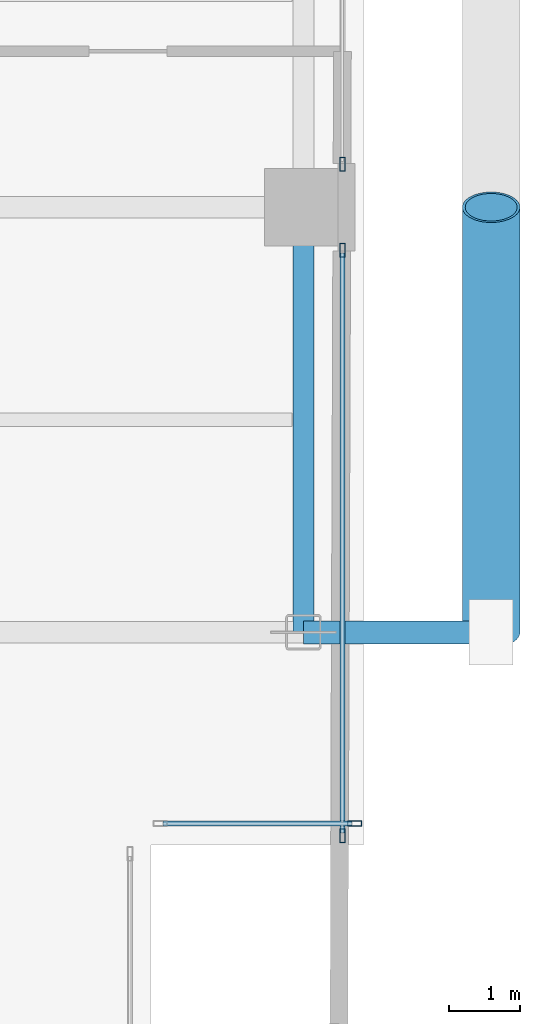
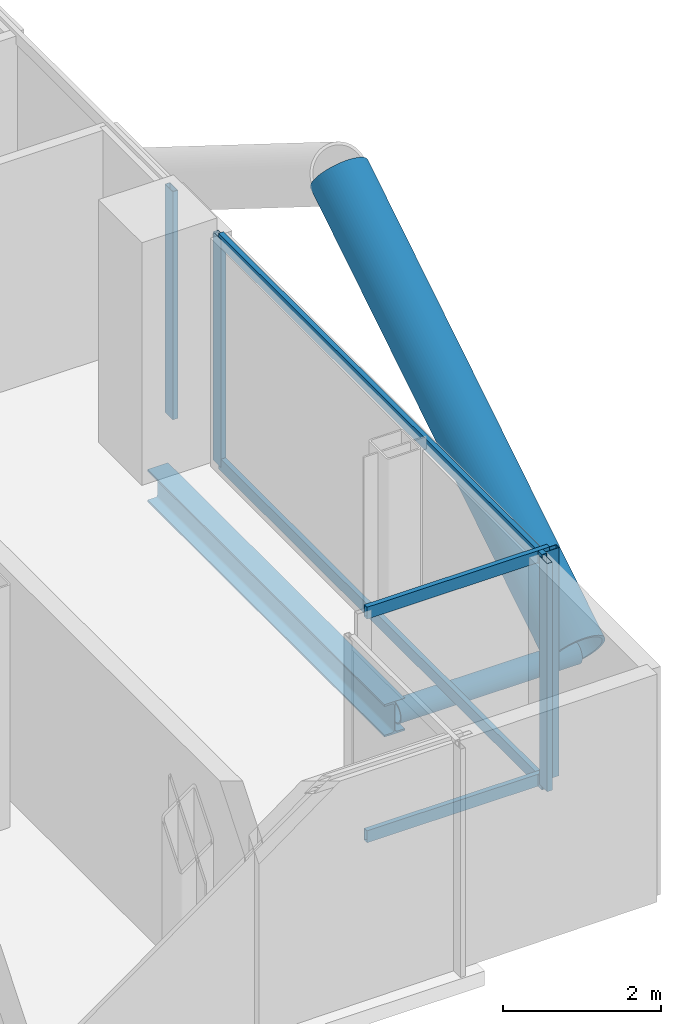
# One storey, part 11 of 24: 10 members, 1 beam, 3 elements without a shape of their own.
"""IFC4 building model written with IfcOpenShell, lengths in metres."""

from ifc_helpers import new_model, si_unit, direction, frame, origin, origin_2d, place, context, subcontext, project, spatial, hollow_rectangle, hollow_circle, i_section, extrude, material, layer, layer_set, material_profile, profile_set, type_object, element, aggregate, save


model = new_model("IFC4")

# Units and contexts
model_context = context("Model", 3, precision=1e-05, world=origin(), true_north=direction((0.0, 1.0)))
body_context = subcontext(model_context, "Body", "Model", "MODEL_VIEW")
ifc_project = project(units=[si_unit("LENGTHUNIT", "METRE"), si_unit("AREAUNIT", "SQUARE_METRE"), si_unit("VOLUMEUNIT", "CUBIC_METRE"), si_unit("PLANEANGLEUNIT", "RADIAN"), si_unit("MASSUNIT", "GRAM", prefix="KILO"), si_unit("THERMODYNAMICTEMPERATUREUNIT", "KELVIN"), si_unit("POWERUNIT", "WATT")], contexts=[model_context])

# Site, building, storey
site_placement = place(None, origin())
site = spatial("IfcSite", under=ifc_project, at=site_placement, CompositionType="ELEMENT")
building_placement = place(site_placement, origin())
building = spatial("IfcBuilding", under=site, at=building_placement, Name="Svarakhadi Broadcast Tower", CompositionType="ELEMENT")
storey_placement = place(building_placement, frame((0.0, 0.0, 126.89990234375)))
storey = spatial("IfcBuildingStorey", under=building, at=storey_placement, Name="L30", CompositionType="ELEMENT", Elevation=126.89990234375)

# Curtain wall, member
ifc_material_1 = material(Name="Anodised Bronze Aluminium AA 6063-T6", Category="aluminium")
ifc_layer = layer(ifc_material_1, 0.199951171875)
ifc_layer_set = layer_set([ifc_layer], Name="Anodised Bronze Aluminium AA 6063-T6")
curtain_wall_type = type_object("IfcCurtainWallType", Name="CW_Sys_03", PredefinedType="NOTDEFINED", material=ifc_layer_set)
curtain_wall_1_placement = place(storey_placement, origin())
curtain_wall_1 = element("IfcCurtainWall", 1, at=curtain_wall_1_placement, inside=storey, type_object=curtain_wall_type, Name="L30 Unitised Facade Curtain Wall 13 Bay 1", PredefinedType="NOTDEFINED")
ifc_material_profile_1 = material_profile(ifc_material_1, hollow_rectangle(XDim=0.074951171875, YDim=0.199951171875, WallThickness=0.005615234375, at=origin_2d()), Name="ALU MULLION 200x75x6")
ifc_profile_set_1 = profile_set([ifc_material_profile_1], Name="Anodised Bronze Aluminium AA 6063-T6")
member_type_1 = type_object("IfcMemberType", Name="CW_Sys_03_Mul", PredefinedType="MULLION", material=ifc_profile_set_1)
member_1_placement = place(storey_placement, frame((47.699951171875, 12.607421875, 0.0), z_axis=(0.0, 0.0, 1.0), x_axis=(1.0, 0.0, 0.0)))
member_1 = element("IfcMember", 2, at=member_1_placement, type_object=member_type_1, Name="CW-03 mullion 2", PredefinedType="MULLION", context=body_context, shape_type="SweptSolid", body=[
    extrude(hollow_rectangle(XDim=0.074951171875, YDim=0.199951171875, WallThickness=0.005615234375, at=origin_2d()), origin(), (0.0, 0.0, 1.0), 3.525146484375),
])
aggregate(curtain_wall_1, [member_1])

# Curtain wall, members
curtain_wall_2_placement = place(storey_placement, origin())
curtain_wall_2 = element("IfcCurtainWall", 3, at=curtain_wall_2_placement, inside=storey, type_object=curtain_wall_type, Name="L30 Unitised Facade Curtain Wall 13 Bay 2", PredefinedType="NOTDEFINED")
member_2_placement = place(storey_placement, frame((47.699951171875, 11.392578125, 0.0), z_axis=(0.0, 0.0, 1.0), x_axis=(1.0, 0.0, 0.0)))
member_2 = element("IfcMember", 4, at=member_2_placement, type_object=member_type_1, Name="CW-03 mullion 1", PredefinedType="MULLION", context=body_context, shape_type="SweptSolid", body=[
    extrude(hollow_rectangle(XDim=0.074951171875, YDim=0.199951171875, WallThickness=0.005615234375, at=origin_2d()), origin(), (0.0, 0.0, 1.0), 3.525146484375),
])
member_3_placement = place(storey_placement, frame((47.699951171875, 3.12744140625, 0.0), z_axis=(0.0, 0.0, 1.0), x_axis=(1.0, 0.0, 0.0)))
member_3 = element("IfcMember", 5, at=member_3_placement, type_object=member_type_1, Name="CW-03 mullion 2", PredefinedType="MULLION", context=body_context, shape_type="SweptSolid", body=[
    extrude(hollow_rectangle(XDim=0.074951171875, YDim=0.199951171875, WallThickness=0.005615234375, at=origin_2d()), origin(), (0.0, 0.0, 1.0), 3.525146484375),
])

# Curtain wall, member
curtain_wall_3_placement = place(storey_placement, origin())
curtain_wall_3 = element("IfcCurtainWall", 6, at=curtain_wall_3_placement, inside=storey, type_object=curtain_wall_type, Name="L30 Unitised Facade Curtain Wall 14", PredefinedType="NOTDEFINED")
member_4_placement = place(storey_placement, frame((47.87255859375, 3.300048828125, 0.0), z_axis=(0.0, 0.0, 1.0), x_axis=(0.0, -1.0, 0.0)))
member_4 = element("IfcMember", 7, at=member_4_placement, type_object=member_type_1, Name="CW-03 mullion 1", PredefinedType="MULLION", context=body_context, shape_type="SweptSolid", body=[
    extrude(hollow_rectangle(XDim=0.074951171875, YDim=0.199951171875, WallThickness=0.005615234375, at=origin_2d()), origin(), (0.0, 0.0, 1.0), 3.525146484375),
])

# Member
ifc_material_profile_2 = material_profile(ifc_material_1, hollow_rectangle(XDim=0.070068359375, YDim=0.18505859375, WallThickness=0.0048828125, at=origin_2d()), Name="ALU TRANSOM 185x70x5")
ifc_profile_set_2 = profile_set([ifc_material_profile_2], Name="Anodised Bronze Aluminium AA 6063-T6")
member_type_2 = type_object("IfcMemberType", Name="CW_Sys_03_Trn", PredefinedType="USERDEFINED", material=ifc_profile_set_2)
member_5_placement = place(storey_placement, frame((47.699951171875, 11.35498046875, 0.03515625), z_axis=(0.0, -1.0, 0.0), x_axis=(1.0, 0.0, 0.0)))
member_5 = element("IfcMember", 8, at=member_5_placement, type_object=member_type_2, Name="CW-03 transom 1.1", ObjectType="TRANSOM", PredefinedType="USERDEFINED", context=body_context, shape_type="SweptSolid", body=[
    extrude(hollow_rectangle(XDim=0.070068359375, YDim=0.18505859375, WallThickness=0.0048828125, at=origin_2d()), origin(), (0.0, 0.0, 1.0), 8.18994140625),
])

member_6_placement = place(storey_placement, frame((47.699951171875, 11.35498046875, 3.489990234375), z_axis=(0.0, -1.0, 0.0), x_axis=(1.0, 0.0, 0.0)))
member_6 = element("IfcMember", 9, at=member_6_placement, type_object=member_type_2, Name="CW-03 transom 1.2", ObjectType="TRANSOM", PredefinedType="USERDEFINED", context=body_context, shape_type="SweptSolid", body=[
    extrude(hollow_rectangle(XDim=0.070068359375, YDim=0.18505859375, WallThickness=0.0048828125, at=origin_2d()), origin(), (0.0, 0.0, 1.0), 8.18994140625),
])

aggregate(curtain_wall_2, [member_2, member_3, member_5, member_6])

member_7_placement = place(storey_placement, frame((47.8349609375, 3.300048828125, 0.03515625), z_axis=(-1.0, 0.0, 0.0), x_axis=(0.0, -1.0, 0.0)))
member_7 = element("IfcMember", 10, at=member_7_placement, type_object=member_type_2, Name="CW-03 transom 1.1", ObjectType="TRANSOM", PredefinedType="USERDEFINED", context=body_context, shape_type="SweptSolid", body=[
    extrude(hollow_rectangle(XDim=0.070068359375, YDim=0.18505859375, WallThickness=0.0048828125, at=origin_2d()), origin(), (0.0, 0.0, 1.0), 2.669921875),
])

member_8_placement = place(storey_placement, frame((47.8349609375, 3.300048828125, 3.489990234375), z_axis=(-1.0, 0.0, 0.0), x_axis=(0.0, -1.0, 0.0)))
member_8 = element("IfcMember", 11, at=member_8_placement, type_object=member_type_2, Name="CW-03 transom 1.2", ObjectType="TRANSOM", PredefinedType="USERDEFINED", context=body_context, shape_type="SweptSolid", body=[
    extrude(hollow_rectangle(XDim=0.070068359375, YDim=0.18505859375, WallThickness=0.0048828125, at=origin_2d()), origin(), (0.0, 0.0, 1.0), 2.669921875),
])

aggregate(curtain_wall_3, [member_4, member_7, member_8])

# Members
ifc_material_2 = material(Name="Steel S460ML (IS 2062 E450BR)", Category="steel")
ifc_material_profile_3 = material_profile(ifc_material_2, hollow_circle(Radius=0.406494140625, WallThickness=0.0400390625, at=origin_2d()), Name="CHS 813x40")
ifc_profile_set_3 = profile_set([ifc_material_profile_3], Name="Steel S460ML (IS 2062 E450BR)")
member_type_3 = type_object("IfcMemberType", Name="Exo_Brace_CHS813", PredefinedType="BRACE", material=ifc_profile_set_3)
member_9_placement = place(storey_placement, frame((49.800048828125, 6.0, -0.386962890625), z_axis=(0.0, 0.847998304005, 0.529998940003), x_axis=(-1.0, 0.0, 0.0)))
element("IfcMember", 12, at=member_9_placement, inside=storey, type_object=member_type_3, Name="L30 Exposed Bronze Exoskeleton Diagonal E06", PredefinedType="BRACE", context=body_context, shape_type="SweptSolid", body=[
    extrude(hollow_circle(Radius=0.406494140625, WallThickness=0.0400390625, at=origin_2d()), origin(), (0.0, 0.0, 1.0), 7.075439453125),
])
ifc_material_profile_4 = material_profile(ifc_material_2, hollow_circle(Radius=0.161865234375, WallThickness=0.01611328125, at=origin_2d()), Name="CHS 323.9x16")
ifc_profile_set_4 = profile_set([ifc_material_profile_4], Name="Steel S460ML (IS 2062 E450BR)")
member_type_4 = type_object("IfcMemberType", Name="Exo_Radial_Strut_Z2", PredefinedType="STRUT", material=ifc_profile_set_4)
member_10_placement = place(storey_placement, frame((49.800048828125, 6.0, -0.386962890625), z_axis=(-1.0, 0.0, 0.0), x_axis=(0.0, -1.0, 0.0)))
element("IfcMember", 13, at=member_10_placement, inside=storey, type_object=member_type_4, Name="L30 Exoskeleton Radial Tie Strut E08", PredefinedType="STRUT", context=body_context, shape_type="SweptSolid", body=[
    extrude(hollow_circle(Radius=0.161865234375, WallThickness=0.01611328125, at=origin_2d()), origin(), (0.0, 0.0, 1.0), 2.650146484375),
])

# Beam
ifc_material_3 = material(Name="Steel S355J2 (IS 2062 E350C)", Category="steel")
ifc_material_profile_5 = material_profile(ifc_material_3, i_section(OverallWidth=0.300048828125, OverallDepth=0.5, WebThickness=0.014404296875, FlangeThickness=0.028076171875, FilletRadius=0.027099609375, at=origin_2d()), Name="WPB 500x300x187")
ifc_profile_set_5 = profile_set([ifc_material_profile_5], Name="Steel S355J2 (IS 2062 E350C)")
beam_type = type_object("IfcBeamType", Name="Girder_WPB500", PredefinedType="USERDEFINED", material=ifc_profile_set_5)
beam_placement = place(storey_placement, frame((47.14990234375, 6.0, -0.474853515625), z_axis=(0.0, 1.0, 0.0), x_axis=(-1.0, 0.0, 0.0)))
element("IfcBeam", 14, at=beam_placement, inside=storey, type_object=beam_type, Name="L30 Primary N-S Girder G073", ObjectType="GIRDER", PredefinedType="USERDEFINED", context=body_context, shape_type="SweptSolid", body=[
    extrude(i_section(OverallWidth=0.300048828125, OverallDepth=0.5, WebThickness=0.014404296875, FlangeThickness=0.028076171875, FilletRadius=0.027099609375, at=origin_2d()), origin(), (0.0, 0.0, 1.0), 6.0),
])

save(model, "model.ifc")
